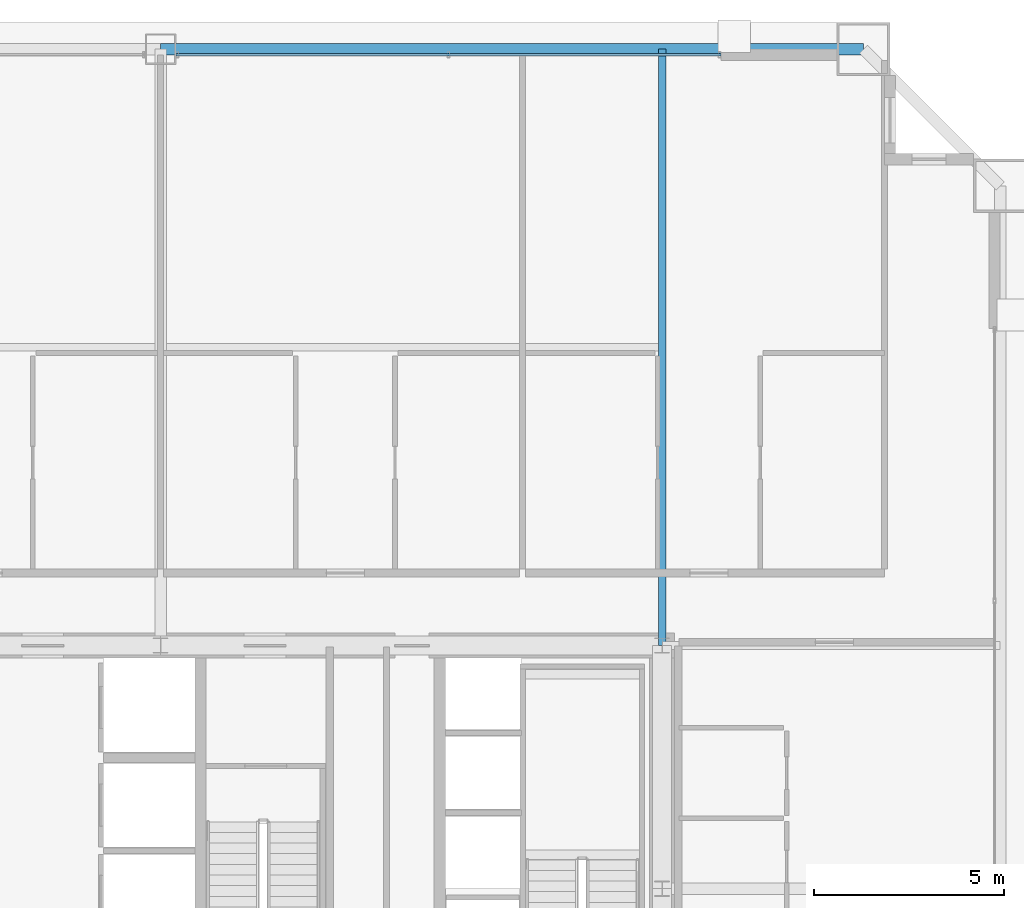
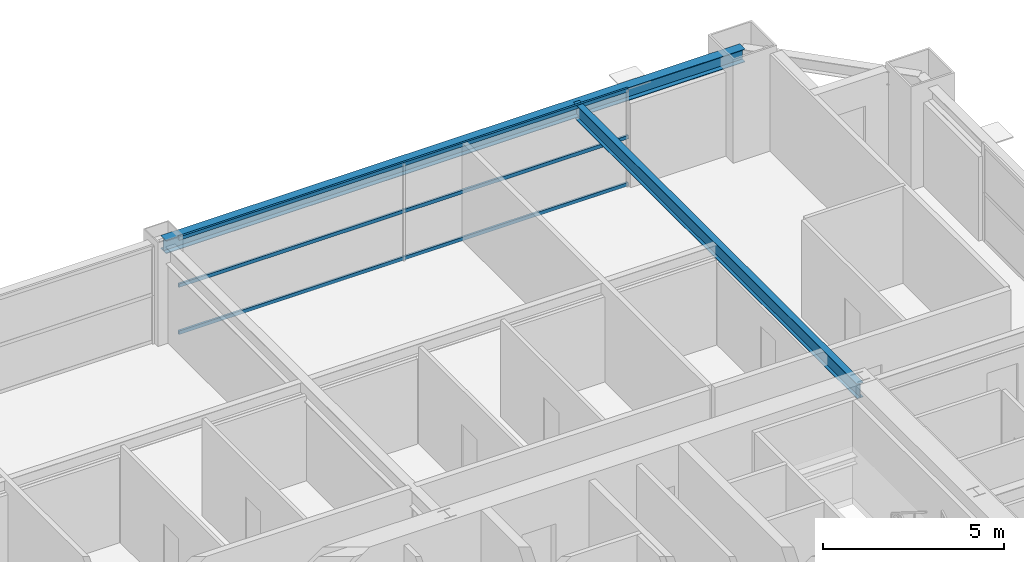
# One storey, part 30 of 38: 3 members, 2 beams, 1 element without a shape of its own.
"""IFC4 building model written with IfcOpenShell, lengths in metres."""

import ifcopenshell
import ifcopenshell.guid

model = None  # the IFC model being written
_history = None  # IfcOwnerHistory: only IFC2X3 demands one
_inside = {}  # id of a spatial element -> (the spatial element, [elements in it])
_under = {}  # id of a project, library or spatial element -> (it, [spatial elements below it])
_declared = {}  # id of a project -> (the project, [libraries it declares])
_typed = {}  # id of a type object -> (the type object, [elements of that type])
_made_of = {}  # id of a material, layer set ... -> (it, [elements and type objects made of it])


def new_model(schema):
    """Start an empty IFC model of exactly this schema.

    Asked for "IFC4X3", IfcOpenShell would pick the latest addendum, in which some entities
    have other attributes; the version numbers below select the first issue.
    IFC2X3 requires an IfcOwnerHistory on every rooted entity: one is made here for all.
    """
    global model, _history
    if schema == "IFC4X3":
        model = ifcopenshell.file(schema_version=(4, 3, 0, 0))
    else:
        model = ifcopenshell.file(schema=schema)
    _inside.clear()
    _under.clear()
    _declared.clear()
    _typed.clear()
    _made_of.clear()
    _history = None
    if model.schema == "IFC2X3":
        org = make("IfcOrganization", Name="unknown")
        user = make(
            "IfcPersonAndOrganization",
            ThePerson=make("IfcPerson", FamilyName="unknown"),
            TheOrganization=org,
        )
        app = make(
            "IfcApplication",
            ApplicationDeveloper=org,
            Version="unknown",
            ApplicationFullName="unknown",
            ApplicationIdentifier="unknown",
        )
        _history = make(
            "IfcOwnerHistory",
            OwningUser=user,
            OwningApplication=app,
            ChangeAction="ADDED",
            CreationDate=0,
        )
    return model


def make(cls, **values):
    """One entity of the class cls with the attributes given. An attribute that is None is left unset."""
    return model.create_entity(
        cls, **{name: value for name, value in values.items() if value is not None}
    )


def rooted(cls, **values):
    """An entity with a GlobalId (a new one), such as an element, a storey or a relation."""
    return make(cls, GlobalId=ifcopenshell.guid.new(), OwnerHistory=_history, **values)


def si_unit(unit_type, name, prefix=None):
    """IfcSIUnit, for example si_unit("LENGTHUNIT", "METRE", prefix="MILLI")."""
    return make("IfcSIUnit", UnitType=unit_type, Prefix=prefix, Name=name)


def assignment(units):
    """IfcUnitAssignment: the units of a project."""
    return None if units is None else make("IfcUnitAssignment", Units=units)


def point(xyz):
    """IfcCartesianPoint."""
    return None if xyz is None else make("IfcCartesianPoint", Coordinates=xyz)


def direction(xyz):
    """IfcDirection."""
    return None if xyz is None else make("IfcDirection", DirectionRatios=xyz)


def frame(location, z_axis=None, x_axis=None):
    """IfcAxis2Placement3D, a coordinate frame: its origin and axes. An axis left out is left unset."""
    return make(
        "IfcAxis2Placement3D",
        Location=point(location),
        Axis=direction(z_axis),
        RefDirection=direction(x_axis),
    )


def frame_2d(location, x_axis=None):
    """IfcAxis2Placement2D, a coordinate frame in the plane: its origin and x axis."""
    return make(
        "IfcAxis2Placement2D", Location=point(location), RefDirection=direction(x_axis)
    )


def origin():
    """The frame at (0, 0, 0) with its axes left unset."""
    return frame((0.0, 0.0, 0.0))


def origin_2d():
    """The frame at (0, 0) in the plane with its x axis left unset."""
    return frame_2d((0.0, 0.0))


def place(relative_to, where):
    """IfcLocalPlacement: puts the frame where relative to a parent placement (None: the world)."""
    return make(
        "IfcLocalPlacement", PlacementRelTo=relative_to, RelativePlacement=where
    )


def context(
    kind, dimensions, precision=None, world=None, true_north=None, identifier=None
):
    """IfcGeometricRepresentationContext, for example the 3D "Model" context."""
    return make(
        "IfcGeometricRepresentationContext",
        ContextIdentifier=identifier,
        ContextType=kind,
        CoordinateSpaceDimension=dimensions,
        Precision=precision,
        WorldCoordinateSystem=world,
        TrueNorth=true_north,
    )


def subcontext(parent, identifier, kind, view, scale=None):
    """IfcGeometricRepresentationSubContext, for example "Body" below "Model"."""
    return make(
        "IfcGeometricRepresentationSubContext",
        ContextIdentifier=identifier,
        ContextType=kind,
        ParentContext=parent,
        TargetScale=scale,
        TargetView=view,
    )


def project(units=None, contexts=None):
    """IfcProject with its units and contexts."""
    return rooted(
        "IfcProject",
        Name="project",
        RepresentationContexts=contexts,
        UnitsInContext=assignment(units),
    )


def spatial(cls, under=None, at=None, **own):
    """A site, building, storey or space (cls), placed at a placement, below another one or the project."""
    s = rooted(cls, ObjectPlacement=at, **own)
    if under is not None:
        _under.setdefault(under.id(), (under, []))[1].append(s)
    return s


def profile(cls, at=None, kind="AREA", **sizes):
    """A parametric profile (cls). Its sizes go by their IFC names, for example OverallWidth=200.0."""
    return make(cls, ProfileType=kind, Position=at, **sizes)


def hollow_rectangle(**sizes):
    """IfcRectangleHollowProfileDef."""
    return profile("IfcRectangleHollowProfileDef", **sizes)


def i_section(**sizes):
    """IfcIShapeProfileDef."""
    return profile("IfcIShapeProfileDef", **sizes)


def extrude(swept, where, along, depth):
    """IfcExtrudedAreaSolid: the profile swept, set in the frame where, extruded along a direction by depth."""
    return make(
        "IfcExtrudedAreaSolid",
        SweptArea=swept,
        Position=where,
        ExtrudedDirection=direction(along),
        Depth=depth,
    )


def shape(context_of_items, identifier, shape_type, items):
    """IfcShapeRepresentation: the items that make up one representation, for example the "Body"."""
    return make(
        "IfcShapeRepresentation",
        ContextOfItems=context_of_items,
        RepresentationIdentifier=identifier,
        RepresentationType=shape_type,
        Items=items,
    )


def source(mapping_origin, context_of_items, identifier, shape_type, items):
    """IfcRepresentationMap: a shape defined once, which mapped items show again and again."""
    return make(
        "IfcRepresentationMap",
        MappingOrigin=mapping_origin,
        MappedRepresentation=shape(context_of_items, identifier, shape_type, items),
    )


def transform(
    local_origin,
    x_axis=None,
    y_axis=None,
    z_axis=None,
    scale=None,
    scale2=None,
    scale3=None,
    uniform=True,
):
    """IfcCartesianTransformationOperator3D, or its non-uniform kind. x_axis, y_axis, z_axis: its Axis1, 2, 3."""
    if uniform:
        return make(
            "IfcCartesianTransformationOperator3D",
            Axis1=direction(x_axis),
            Axis2=direction(y_axis),
            LocalOrigin=point(local_origin),
            Scale=scale,
            Axis3=direction(z_axis),
        )
    return make(
        "IfcCartesianTransformationOperator3DnonUniform",
        Axis1=direction(x_axis),
        Axis2=direction(y_axis),
        LocalOrigin=point(local_origin),
        Scale=scale,
        Axis3=direction(z_axis),
        Scale2=scale2,
        Scale3=scale3,
    )


def mapped(mapping_source, mapping_target):
    """IfcMappedItem: shows the shape of a source again, moved by a transform."""
    return make(
        "IfcMappedItem", MappingSource=mapping_source, MappingTarget=mapping_target
    )


def material(Name=None, Category=None):
    """IfcMaterial."""
    return make("IfcMaterial", Name=Name, Category=Category)


def layer(
    of_material, thickness, ventilated=None, Name=None, Category=None, Priority=None
):
    """IfcMaterialLayer: one layer of a wall or slab, of a material (None: an air gap)."""
    return make(
        "IfcMaterialLayer",
        Material=of_material,
        LayerThickness=thickness,
        IsVentilated=ventilated,
        Name=Name,
        Category=Category,
        Priority=Priority,
    )


def layer_set(layers, Name=None):
    """IfcMaterialLayerSet."""
    return make("IfcMaterialLayerSet", MaterialLayers=layers, LayerSetName=Name)


def material_profile(
    of_material, cross_section, Name=None, Category=None, Priority=None
):
    """IfcMaterialProfile: a cross section and its material."""
    return make(
        "IfcMaterialProfile",
        Name=Name,
        Material=of_material,
        Profile=cross_section,
        Priority=Priority,
        Category=Category,
    )


def profile_set(profiles, Name=None, composite=None):
    """IfcMaterialProfileSet."""
    return make(
        "IfcMaterialProfileSet",
        Name=Name,
        MaterialProfiles=profiles,
        CompositeProfile=composite,
    )


def made_of(thing, what):
    """Note that an element or type object is made of a material, layer set ...; save() writes the relation."""
    if what is not None:
        _made_of.setdefault(what.id(), (what, []))[1].append(thing)
    return thing


def type_object(cls, material=None, **own):
    """A type object (cls), such as IfcWallType, which elements share."""
    return made_of(rooted(cls, **own), material)


def element(
    cls,
    number,
    at=None,
    inside=None,
    cuts=None,
    type_object=None,
    material=None,
    context=None,
    identifier="Body",
    shape_type=None,
    held_by="IfcProductDefinitionShape",
    body=None,
    shapes=None,
    **own,
):
    """One element of the class cls, such as IfcWall. Its Tag is "e" and its number.

    at: its placement. inside: the storey or other place that contains it. cuts: it is an
    opening in that element (IfcRelVoidsElement). A single representation is given by context,
    identifier, shape_type and body (its items); several are given by shapes. held_by: the class
    of the entity that holds the representations. save() writes the other relations.
    """
    e = rooted(cls, Tag="e%d" % number, ObjectPlacement=at, **own)
    if body is not None:
        shapes = [shape(context, identifier, shape_type, body)]
    if shapes is not None:
        e.Representation = make(held_by, Representations=shapes)
    if inside is not None:
        _inside.setdefault(inside.id(), (inside, []))[1].append(e)
    if cuts is not None:
        rooted(
            "IfcRelVoidsElement", RelatingBuildingElement=cuts, RelatedOpeningElement=e
        )
    if type_object is not None:
        _typed.setdefault(type_object.id(), (type_object, []))[1].append(e)
    return made_of(e, material)


def aggregate(whole, parts):
    """IfcRelAggregates: a whole, such as a stair, and the parts it consists of."""
    return rooted("IfcRelAggregates", RelatingObject=whole, RelatedObjects=parts)


def save(model, path):
    """Write the relations noted so far, then the file.

    IfcRelAggregates (storeys below a building ...), IfcRelContainedInSpatialStructure (elements
    in a storey), IfcRelDefinesByType, IfcRelAssociatesMaterial and IfcRelDeclares: one each for
    every whole, place, type object, material and project.
    """
    for whole, parts in _under.values():
        aggregate(whole, parts)
    for where, things in _inside.values():
        rooted(
            "IfcRelContainedInSpatialStructure",
            RelatedElements=things,
            RelatingStructure=where,
        )
    for kind, things in _typed.values():
        rooted("IfcRelDefinesByType", RelatedObjects=things, RelatingType=kind)
    for what, things in _made_of.values():
        rooted("IfcRelAssociatesMaterial", RelatedObjects=things, RelatingMaterial=what)
    for by, libraries in _declared.values():
        rooted("IfcRelDeclares", RelatingContext=by, RelatedDefinitions=libraries)
    model.write(path)


model = new_model("IFC4")

# Units and contexts
model_context = context("Model", 3, precision=1e-05, world=origin(), true_north=direction((0.0, 1.0)))
body_context = subcontext(model_context, "Body", "Model", "MODEL_VIEW")
ifc_project = project(units=[si_unit("LENGTHUNIT", "METRE"), si_unit("AREAUNIT", "SQUARE_METRE"), si_unit("VOLUMEUNIT", "CUBIC_METRE"), si_unit("PLANEANGLEUNIT", "RADIAN"), si_unit("MASSUNIT", "GRAM", prefix="KILO"), si_unit("THERMODYNAMICTEMPERATUREUNIT", "KELVIN"), si_unit("POWERUNIT", "WATT")], contexts=[model_context])

# Site, building, storey
site_placement = place(None, origin())
site = spatial("IfcSite", under=ifc_project, at=site_placement, CompositionType="ELEMENT")
building_placement = place(site_placement, origin())
building = spatial("IfcBuilding", under=site, at=building_placement, Name="Yuzanri Waterfront Tower", CompositionType="ELEMENT")
storey_placement = place(building_placement, frame((0.0, 0.0, 188.0)))
storey = spatial("IfcBuildingStorey", under=building, at=storey_placement, Name="L49", CompositionType="ELEMENT", Elevation=188.0)

# Beams
ifc_material_1 = material(Name="Steel Q355B", Category="steel")
ifc_material_profile_1 = material_profile(ifc_material_1, i_section(OverallWidth=0.300048828125, OverallDepth=0.43994140625, WebThickness=0.010986328125, FlangeThickness=0.01806640625, at=origin_2d()), Name="HM 440x300x11x18")
ifc_profile_set_1 = profile_set([ifc_material_profile_1], Name="Steel Q355B")
beam_type_1 = type_object("IfcBeamType", Name="Perimeter Spandrel Q355B HM 440x300", PredefinedType="SPANDREL", material=ifc_profile_set_1)
shared_shape_1 = source(origin(), body_context, "Body", "SweptSolid", [
    extrude(i_section(OverallWidth=0.300048828125, OverallDepth=0.43994140625, WebThickness=0.010986328125, FlangeThickness=0.01806640625, at=origin_2d()), origin(), (0.0, 0.0, 1.0), 18.5),
])
beam_1_placement = place(storey_placement, frame((55.5, 47.89990234375, 3.06005859375), z_axis=(-1.0, 0.0, 0.0), x_axis=(0.0, -1.0, 0.0)))
element("IfcBeam", 1, at=beam_1_placement, inside=storey, type_object=beam_type_1, Name="L49 Perimeter Spandrel N3-N2", PredefinedType="SPANDREL", context=body_context, shape_type="MappedRepresentation", body=[
    mapped(shared_shape_1, transform((0.0, 0.0, 0.0), scale=1.0)),
])
ifc_material_2 = material(Name="Steel Q355B", Category="steel")
ifc_material_profile_2 = material_profile(ifc_material_2, i_section(OverallWidth=0.199951171875, OverallDepth=0.5, WebThickness=0.010009765625, FlangeThickness=0.01611328125, at=origin_2d()), Name="HN 500x200x10x16")
ifc_profile_set_2 = profile_set([ifc_material_profile_2], Name="Steel Q355B")
beam_type_2 = type_object("IfcBeamType", Name="Secondary Floor Beam Q355B HN 500x200", PredefinedType="BEAM", material=ifc_profile_set_2)
shared_shape_2 = source(origin(), body_context, "Body", "SweptSolid", [
    extrude(i_section(OverallWidth=0.199951171875, OverallDepth=0.5, WebThickness=0.010009765625, FlangeThickness=0.01611328125, at=origin_2d()), origin(), (0.0, 0.0, 1.0), 15.699951171875),
])
beam_2_placement = place(storey_placement, frame((50.199951171875, 32.199951171875, 3.030029296875), z_axis=(0.0, 1.0, 0.0), x_axis=(-1.0, 0.0, 0.0)))
element("IfcBeam", 2, at=beam_2_placement, inside=storey, type_object=beam_type_2, Name="L49 North-East Core Line Beam", PredefinedType="BEAM", context=body_context, shape_type="MappedRepresentation", body=[
    mapped(shared_shape_2, transform((0.0, 0.0, 0.0), scale=1.0)),
])

# Curtain wall, members
ifc_material_3 = material(Name="Anodized Architectural Bronze", Category="metal")
ifc_layer = layer(ifc_material_3, 0.159912109375)
ifc_layer_set = layer_set([ifc_layer], Name="Anodized Architectural Bronze")
curtain_wall_type = type_object("IfcCurtainWallType", Name="Anodized Bronze Mid-Rise Residential Acoustic Unitized Curtain Wall 7200", PredefinedType="NOTDEFINED", material=ifc_layer_set)
curtain_wall_placement = place(storey_placement, origin())
curtain_wall = element("IfcCurtainWall", 3, at=curtain_wall_placement, inside=storey, type_object=curtain_wall_type, Name="L49 Curtain Wall CW-L49-NR", PredefinedType="NOTDEFINED")
ifc_material_4 = material(Name="Anodized Architectural Bronze", Category="metal")
ifc_material_profile_3 = material_profile(ifc_material_4, hollow_rectangle(XDim=0.06494140625, YDim=0.1201171875, WallThickness=0.00341796875, at=origin_2d()), Name="CWT 65x120")
ifc_profile_set_3 = profile_set([ifc_material_profile_3], Name="Anodized Architectural Bronze")
member_type = type_object("IfcMemberType", Name="Anodized Bronze Secondary Curtain-Wall Transom 65x120", PredefinedType="USERDEFINED", material=ifc_profile_set_3)
shared_shape_3 = source(origin(), body_context, "Body", "SweptSolid", [
    extrude(hollow_rectangle(XDim=0.06494140625, YDim=0.1201171875, WallThickness=0.00341796875, at=origin_2d()), origin(), (0.0, 0.0, 1.0), 14.35009765625),
])
member_1_placement = place(storey_placement, frame((37.39990234375, 47.75, 0.050048828125), z_axis=(1.0, 0.0, 0.0), x_axis=(0.0, 1.0, 0.0)))
member_1 = element("IfcMember", 4, at=member_1_placement, type_object=member_type, Name="CW-L49-NR Transom 1", ObjectType="TRANSOM", PredefinedType="USERDEFINED", context=body_context, shape_type="MappedRepresentation", body=[
    mapped(shared_shape_3, transform((0.0, 0.0, 0.0), scale=1.0)),
])
member_2_placement = place(storey_placement, frame((37.39990234375, 47.75, 1.639892578125), z_axis=(1.0, 0.0, 0.0), x_axis=(0.0, 1.0, 0.0)))
member_2 = element("IfcMember", 5, at=member_2_placement, type_object=member_type, Name="CW-L49-NR Transom 2", ObjectType="TRANSOM", PredefinedType="USERDEFINED", context=body_context, shape_type="MappedRepresentation", body=[
    mapped(shared_shape_3, transform((0.0, 0.0, 0.0), scale=1.0)),
])
member_3_placement = place(storey_placement, frame((37.39990234375, 47.75, 3.22998046875), z_axis=(1.0, 0.0, 0.0), x_axis=(0.0, 1.0, 0.0)))
member_3 = element("IfcMember", 6, at=member_3_placement, type_object=member_type, Name="CW-L49-NR Transom 3", ObjectType="TRANSOM", PredefinedType="USERDEFINED", context=body_context, shape_type="MappedRepresentation", body=[
    mapped(shared_shape_3, transform((0.0, 0.0, 0.0), scale=1.0)),
])
aggregate(curtain_wall, [member_1, member_2, member_3])

save(model, "model.ifc")
